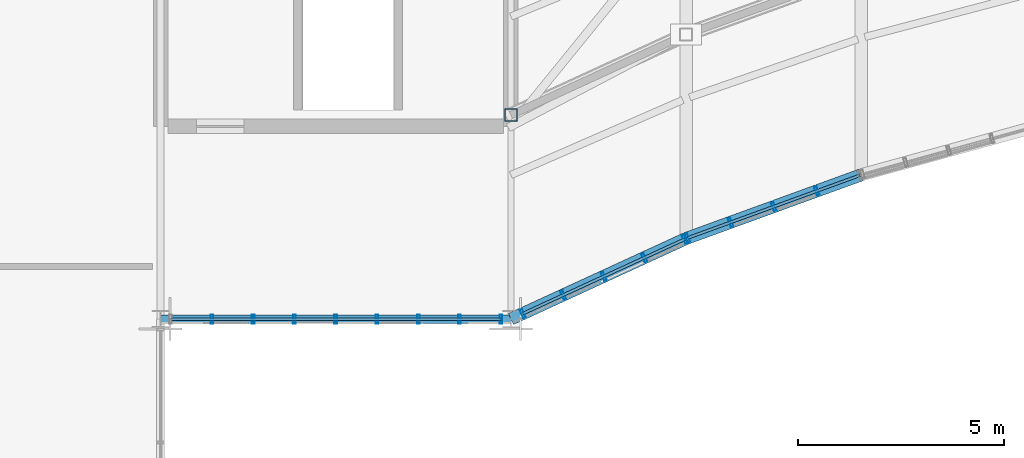
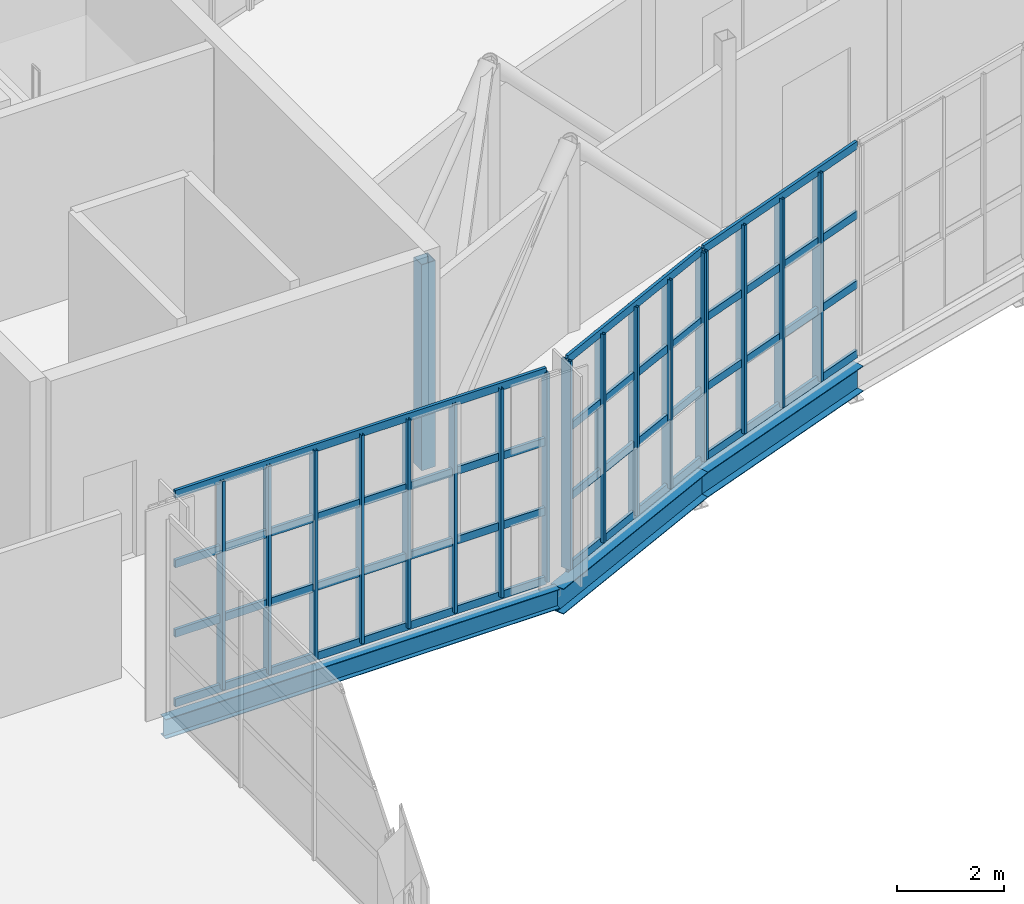
# One storey, part 18 of 46: 30 members, 3 beams, 3 elements without a shape of their own.
"""IFC4 building model written with IfcOpenShell, lengths in metres."""

import ifcopenshell
import ifcopenshell.guid

model = None  # the IFC model being written
_history = None  # IfcOwnerHistory: only IFC2X3 demands one
_inside = {}  # id of a spatial element -> (the spatial element, [elements in it])
_under = {}  # id of a project, library or spatial element -> (it, [spatial elements below it])
_declared = {}  # id of a project -> (the project, [libraries it declares])
_typed = {}  # id of a type object -> (the type object, [elements of that type])
_made_of = {}  # id of a material, layer set ... -> (it, [elements and type objects made of it])


def new_model(schema):
    """Start an empty IFC model of exactly this schema.

    Asked for "IFC4X3", IfcOpenShell would pick the latest addendum, in which some entities
    have other attributes; the version numbers below select the first issue.
    IFC2X3 requires an IfcOwnerHistory on every rooted entity: one is made here for all.
    """
    global model, _history
    if schema == "IFC4X3":
        model = ifcopenshell.file(schema_version=(4, 3, 0, 0))
    else:
        model = ifcopenshell.file(schema=schema)
    _inside.clear()
    _under.clear()
    _declared.clear()
    _typed.clear()
    _made_of.clear()
    _history = None
    if model.schema == "IFC2X3":
        org = make("IfcOrganization", Name="unknown")
        user = make(
            "IfcPersonAndOrganization",
            ThePerson=make("IfcPerson", FamilyName="unknown"),
            TheOrganization=org,
        )
        app = make(
            "IfcApplication",
            ApplicationDeveloper=org,
            Version="unknown",
            ApplicationFullName="unknown",
            ApplicationIdentifier="unknown",
        )
        _history = make(
            "IfcOwnerHistory",
            OwningUser=user,
            OwningApplication=app,
            ChangeAction="ADDED",
            CreationDate=0,
        )
    return model


def make(cls, **values):
    """One entity of the class cls with the attributes given. An attribute that is None is left unset."""
    return model.create_entity(
        cls, **{name: value for name, value in values.items() if value is not None}
    )


def rooted(cls, **values):
    """An entity with a GlobalId (a new one), such as an element, a storey or a relation."""
    return make(cls, GlobalId=ifcopenshell.guid.new(), OwnerHistory=_history, **values)


def si_unit(unit_type, name, prefix=None):
    """IfcSIUnit, for example si_unit("LENGTHUNIT", "METRE", prefix="MILLI")."""
    return make("IfcSIUnit", UnitType=unit_type, Prefix=prefix, Name=name)


def assignment(units):
    """IfcUnitAssignment: the units of a project."""
    return None if units is None else make("IfcUnitAssignment", Units=units)


def point(xyz):
    """IfcCartesianPoint."""
    return None if xyz is None else make("IfcCartesianPoint", Coordinates=xyz)


def direction(xyz):
    """IfcDirection."""
    return None if xyz is None else make("IfcDirection", DirectionRatios=xyz)


def frame(location, z_axis=None, x_axis=None):
    """IfcAxis2Placement3D, a coordinate frame: its origin and axes. An axis left out is left unset."""
    return make(
        "IfcAxis2Placement3D",
        Location=point(location),
        Axis=direction(z_axis),
        RefDirection=direction(x_axis),
    )


def frame_2d(location, x_axis=None):
    """IfcAxis2Placement2D, a coordinate frame in the plane: its origin and x axis."""
    return make(
        "IfcAxis2Placement2D", Location=point(location), RefDirection=direction(x_axis)
    )


def origin():
    """The frame at (0, 0, 0) with its axes left unset."""
    return frame((0.0, 0.0, 0.0))


def origin_2d():
    """The frame at (0, 0) in the plane with its x axis left unset."""
    return frame_2d((0.0, 0.0))


def place(relative_to, where):
    """IfcLocalPlacement: puts the frame where relative to a parent placement (None: the world)."""
    return make(
        "IfcLocalPlacement", PlacementRelTo=relative_to, RelativePlacement=where
    )


def context(
    kind, dimensions, precision=None, world=None, true_north=None, identifier=None
):
    """IfcGeometricRepresentationContext, for example the 3D "Model" context."""
    return make(
        "IfcGeometricRepresentationContext",
        ContextIdentifier=identifier,
        ContextType=kind,
        CoordinateSpaceDimension=dimensions,
        Precision=precision,
        WorldCoordinateSystem=world,
        TrueNorth=true_north,
    )


def subcontext(parent, identifier, kind, view, scale=None):
    """IfcGeometricRepresentationSubContext, for example "Body" below "Model"."""
    return make(
        "IfcGeometricRepresentationSubContext",
        ContextIdentifier=identifier,
        ContextType=kind,
        ParentContext=parent,
        TargetScale=scale,
        TargetView=view,
    )


def project(units=None, contexts=None):
    """IfcProject with its units and contexts."""
    return rooted(
        "IfcProject",
        Name="project",
        RepresentationContexts=contexts,
        UnitsInContext=assignment(units),
    )


def spatial(cls, under=None, at=None, **own):
    """A site, building, storey or space (cls), placed at a placement, below another one or the project."""
    s = rooted(cls, ObjectPlacement=at, **own)
    if under is not None:
        _under.setdefault(under.id(), (under, []))[1].append(s)
    return s


def profile(cls, at=None, kind="AREA", **sizes):
    """A parametric profile (cls). Its sizes go by their IFC names, for example OverallWidth=200.0."""
    return make(cls, ProfileType=kind, Position=at, **sizes)


def hollow_rectangle(**sizes):
    """IfcRectangleHollowProfileDef."""
    return profile("IfcRectangleHollowProfileDef", **sizes)


def i_section(**sizes):
    """IfcIShapeProfileDef."""
    return profile("IfcIShapeProfileDef", **sizes)


def extrude(swept, where, along, depth):
    """IfcExtrudedAreaSolid: the profile swept, set in the frame where, extruded along a direction by depth."""
    return make(
        "IfcExtrudedAreaSolid",
        SweptArea=swept,
        Position=where,
        ExtrudedDirection=direction(along),
        Depth=depth,
    )


def shape(context_of_items, identifier, shape_type, items):
    """IfcShapeRepresentation: the items that make up one representation, for example the "Body"."""
    return make(
        "IfcShapeRepresentation",
        ContextOfItems=context_of_items,
        RepresentationIdentifier=identifier,
        RepresentationType=shape_type,
        Items=items,
    )


def material(Name=None, Category=None):
    """IfcMaterial."""
    return make("IfcMaterial", Name=Name, Category=Category)


def material_profile(
    of_material, cross_section, Name=None, Category=None, Priority=None
):
    """IfcMaterialProfile: a cross section and its material."""
    return make(
        "IfcMaterialProfile",
        Name=Name,
        Material=of_material,
        Profile=cross_section,
        Priority=Priority,
        Category=Category,
    )


def profile_set(profiles, Name=None, composite=None):
    """IfcMaterialProfileSet."""
    return make(
        "IfcMaterialProfileSet",
        Name=Name,
        MaterialProfiles=profiles,
        CompositeProfile=composite,
    )


def made_of(thing, what):
    """Note that an element or type object is made of a material, layer set ...; save() writes the relation."""
    if what is not None:
        _made_of.setdefault(what.id(), (what, []))[1].append(thing)
    return thing


def type_object(cls, material=None, **own):
    """A type object (cls), such as IfcWallType, which elements share."""
    return made_of(rooted(cls, **own), material)


def element(
    cls,
    number,
    at=None,
    inside=None,
    cuts=None,
    type_object=None,
    material=None,
    context=None,
    identifier="Body",
    shape_type=None,
    held_by="IfcProductDefinitionShape",
    body=None,
    shapes=None,
    **own,
):
    """One element of the class cls, such as IfcWall. Its Tag is "e" and its number.

    at: its placement. inside: the storey or other place that contains it. cuts: it is an
    opening in that element (IfcRelVoidsElement). A single representation is given by context,
    identifier, shape_type and body (its items); several are given by shapes. held_by: the class
    of the entity that holds the representations. save() writes the other relations.
    """
    e = rooted(cls, Tag="e%d" % number, ObjectPlacement=at, **own)
    if body is not None:
        shapes = [shape(context, identifier, shape_type, body)]
    if shapes is not None:
        e.Representation = make(held_by, Representations=shapes)
    if inside is not None:
        _inside.setdefault(inside.id(), (inside, []))[1].append(e)
    if cuts is not None:
        rooted(
            "IfcRelVoidsElement", RelatingBuildingElement=cuts, RelatedOpeningElement=e
        )
    if type_object is not None:
        _typed.setdefault(type_object.id(), (type_object, []))[1].append(e)
    return made_of(e, material)


def aggregate(whole, parts):
    """IfcRelAggregates: a whole, such as a stair, and the parts it consists of."""
    return rooted("IfcRelAggregates", RelatingObject=whole, RelatedObjects=parts)


def save(model, path):
    """Write the relations noted so far, then the file.

    IfcRelAggregates (storeys below a building ...), IfcRelContainedInSpatialStructure (elements
    in a storey), IfcRelDefinesByType, IfcRelAssociatesMaterial and IfcRelDeclares: one each for
    every whole, place, type object, material and project.
    """
    for whole, parts in _under.values():
        aggregate(whole, parts)
    for where, things in _inside.values():
        rooted(
            "IfcRelContainedInSpatialStructure",
            RelatedElements=things,
            RelatingStructure=where,
        )
    for kind, things in _typed.values():
        rooted("IfcRelDefinesByType", RelatedObjects=things, RelatingType=kind)
    for what, things in _made_of.values():
        rooted("IfcRelAssociatesMaterial", RelatedObjects=things, RelatingMaterial=what)
    for by, libraries in _declared.values():
        rooted("IfcRelDeclares", RelatingContext=by, RelatedDefinitions=libraries)
    model.write(path)


model = new_model("IFC4")

# Units and contexts
model_context = context("Model", 3, precision=1e-05, world=origin(), true_north=direction((0.0, 1.0)))
body_context = subcontext(model_context, "Body", "Model", "MODEL_VIEW")
ifc_project = project(units=[si_unit("LENGTHUNIT", "METRE"), si_unit("AREAUNIT", "SQUARE_METRE"), si_unit("VOLUMEUNIT", "CUBIC_METRE"), si_unit("PLANEANGLEUNIT", "RADIAN"), si_unit("MASSUNIT", "GRAM", prefix="KILO")], contexts=[model_context])

# Site, building, storey
site_placement = place(None, origin())
site = spatial("IfcSite", under=ifc_project, at=site_placement, CompositionType="ELEMENT")
building_placement = place(site_placement, origin())
building = spatial("IfcBuilding", under=site, at=building_placement, Name="Solvikara Media Centre", CompositionType="ELEMENT")
storey_placement = place(building_placement, frame((0.0, 0.0, 24.60009765625)))
storey = spatial("IfcBuildingStorey", under=building, at=storey_placement, Name="L05", CompositionType="ELEMENT", Elevation=24.60009765625)

# Beams
ifc_material_1 = material(Name="Steel S355JR", Category="steel")
ifc_material_profile_1 = material_profile(ifc_material_1, i_section(OverallWidth=0.199951171875, OverallDepth=0.449951171875, WebThickness=0.009033203125, FlangeThickness=0.013916015625, at=origin_2d()), Name="WF 450x200x9x14")
ifc_profile_set_1 = profile_set([ifc_material_profile_1], Name="Steel S355JR")
beam_type_1 = type_object("IfcBeamType", Name="BM-20", PredefinedType="BEAM", material=ifc_profile_set_1)
beam_1_placement = place(storey_placement, frame((68.0, 19.320068359375, -0.447021484375), z_axis=(1.0, 0.0, 0.0), x_axis=(0.0, 1.0, 0.0)))
element("IfcBeam", 1, at=beam_1_placement, inside=storey, type_object=beam_type_1, Name="B-L05-X1642", PredefinedType="BEAM", context=body_context, shape_type="SweptSolid", body=[
    extrude(i_section(OverallWidth=0.199951171875, OverallDepth=0.449951171875, WebThickness=0.009033203125, FlangeThickness=0.013916015625, at=origin_2d()), origin(), (0.0, 0.0, 1.0), 8.5),
])
ifc_material_profile_2 = material_profile(ifc_material_1, i_section(OverallWidth=0.300048828125, OverallDepth=0.58203125, WebThickness=0.011962890625, FlangeThickness=0.01708984375, at=origin_2d()), Name="WF 582x300x12x17")
ifc_profile_set_2 = profile_set([ifc_material_profile_2], Name="Steel S355JR")
beam_type_2 = type_object("IfcBeamType", Name="BM-31", PredefinedType="SPANDREL", material=ifc_profile_set_2)
beam_2_placement = place(storey_placement, frame((76.5, 19.323974609375, -0.51318359375), z_axis=(0.908484112169, 0.417919391673, 0.0), x_axis=(-0.417919391673, 0.908484112169, 0.0)))
element("IfcBeam", 2, at=beam_2_placement, inside=storey, type_object=beam_type_2, Name="B-L05-SARC-00", PredefinedType="SPANDREL", context=body_context, shape_type="SweptSolid", body=[
    extrude(i_section(OverallWidth=0.300048828125, OverallDepth=0.58203125, WebThickness=0.011962890625, FlangeThickness=0.01708984375, at=origin_2d()), origin(), (0.0, 0.0, 1.0), 4.67822265625),
])
beam_3_placement = place(storey_placement, frame((80.75, 21.279052734375, -0.51318359375), z_axis=(0.939831249065, 0.341639024821, 0.0), x_axis=(-0.341639024821, 0.939831249065, 0.0)))
element("IfcBeam", 3, at=beam_3_placement, inside=storey, type_object=beam_type_2, Name="B-L05-SARC-01", PredefinedType="SPANDREL", context=body_context, shape_type="SweptSolid", body=[
    extrude(i_section(OverallWidth=0.300048828125, OverallDepth=0.58203125, WebThickness=0.011962890625, FlangeThickness=0.01708984375, at=origin_2d()), origin(), (0.0, 0.0, 1.0), 4.52197265625),
])

# Member
ifc_material_profile_3 = material_profile(ifc_material_1, hollow_rectangle(XDim=0.300048828125, YDim=0.300048828125, WallThickness=0.012451171875, at=origin_2d()), Name="RHS 300x300x12.5")
ifc_profile_set_3 = profile_set([ifc_material_profile_3], Name="Steel S355JR")
member_type_1 = type_object("IfcMemberType", Name="MB-11", PredefinedType="CHORD", material=ifc_profile_set_3)
member_1_placement = place(storey_placement, frame((76.5, 24.27392578125, -0.4501953125), z_axis=(0.0, 0.0, 1.0), x_axis=(1.0, 0.0, 0.0)))
element("IfcMember", 4, at=member_1_placement, inside=storey, type_object=member_type_1, Name="WTR-L05-S-V00", PredefinedType="CHORD", context=body_context, shape_type="SweptSolid", body=[
    extrude(hollow_rectangle(XDim=0.300048828125, YDim=0.300048828125, WallThickness=0.012451171875, at=origin_2d()), origin(), (0.0, 0.0, 1.0), 4.7001953125),
])

# Curtain wall, members
ifc_material_2 = material(Name="Anodised aluminium EN AW-6063", Category="aluminium")
curtain_wall_type_1 = type_object("IfcCurtainWallType", Name="CW-01", PredefinedType="NOTDEFINED", material=ifc_material_2)
curtain_wall_1_placement = place(storey_placement, origin())
curtain_wall_1 = element("IfcCurtainWall", 5, at=curtain_wall_1_placement, inside=storey, type_object=curtain_wall_type_1, Name="CW-L05-SARC-00", PredefinedType="NOTDEFINED")
ifc_material_profile_4 = material_profile(ifc_material_2, hollow_rectangle(XDim=0.06494140625, YDim=0.219970703125, WallThickness=0.00390625, at=origin_2d()), Name="ALU-M 65x220x4")
ifc_profile_set_4 = profile_set([ifc_material_profile_4], Name="Anodised aluminium EN AW-6063")
member_type_2 = type_object("IfcMemberType", Name="MF-01", PredefinedType="MULLION", material=ifc_profile_set_4)
member_2_placement = place(storey_placement, frame((76.785888671875, 19.455078125, 0.02001953125), z_axis=(0.0, 0.0, 1.0), x_axis=(0.908464413608, 0.417962210264, 0.0)))
member_2 = element("IfcMember", 6, at=member_2_placement, type_object=member_type_2, Name="CW-L05-SARC-00-M00", PredefinedType="MULLION", context=body_context, shape_type="SweptSolid", body=[
    extrude(hollow_rectangle(XDim=0.06494140625, YDim=0.219970703125, WallThickness=0.00390625, at=origin_2d()), origin(), (0.0, 0.0, 1.0), 4.759765625),
])
member_3_placement = place(storey_placement, frame((77.76904296875, 19.906982421875, 0.02001953125), z_axis=(0.0, 0.0, 1.0), x_axis=(0.908464413608, 0.417962210264, 0.0)))
member_3 = element("IfcMember", 7, at=member_3_placement, type_object=member_type_2, Name="CW-L05-SARC-00-M01", PredefinedType="MULLION", context=body_context, shape_type="SweptSolid", body=[
    extrude(hollow_rectangle(XDim=0.06494140625, YDim=0.219970703125, WallThickness=0.00390625, at=origin_2d()), origin(), (0.0, 0.0, 1.0), 4.759765625),
])
member_4_placement = place(storey_placement, frame((78.751953125, 20.35888671875, 0.02001953125), z_axis=(0.0, 0.0, 1.0), x_axis=(0.908464413608, 0.417962210264, 0.0)))
member_4 = element("IfcMember", 8, at=member_4_placement, type_object=member_type_2, Name="CW-L05-SARC-00-M02", PredefinedType="MULLION", context=body_context, shape_type="SweptSolid", body=[
    extrude(hollow_rectangle(XDim=0.06494140625, YDim=0.219970703125, WallThickness=0.00390625, at=origin_2d()), origin(), (0.0, 0.0, 1.0), 4.759765625),
])
member_5_placement = place(storey_placement, frame((79.735107421875, 20.81201171875, 0.02001953125), z_axis=(0.0, 0.0, 1.0), x_axis=(0.908464413608, 0.417962210264, 0.0)))
member_5 = element("IfcMember", 9, at=member_5_placement, type_object=member_type_2, Name="CW-L05-SARC-00-M03", PredefinedType="MULLION", context=body_context, shape_type="SweptSolid", body=[
    extrude(hollow_rectangle(XDim=0.06494140625, YDim=0.219970703125, WallThickness=0.00390625, at=origin_2d()), origin(), (0.0, 0.0, 1.0), 4.759765625),
])
member_6_placement = place(storey_placement, frame((80.718017578125, 21.263916015625, 0.02001953125), z_axis=(0.0, 0.0, 1.0), x_axis=(0.908464413608, 0.417962210264, 0.0)))
member_6 = element("IfcMember", 10, at=member_6_placement, type_object=member_type_2, Name="CW-L05-SARC-00-M04", PredefinedType="MULLION", context=body_context, shape_type="SweptSolid", body=[
    extrude(hollow_rectangle(XDim=0.06494140625, YDim=0.219970703125, WallThickness=0.00390625, at=origin_2d()), origin(), (0.0, 0.0, 1.0), 4.759765625),
])

curtain_wall_2_placement = place(storey_placement, origin())
curtain_wall_2 = element("IfcCurtainWall", 11, at=curtain_wall_2_placement, inside=storey, type_object=curtain_wall_type_1, Name="CW-L05-SARC-01", PredefinedType="NOTDEFINED")
member_7_placement = place(storey_placement, frame((80.782958984375, 21.291015625, 0.02001953125), z_axis=(0.0, 0.0, 1.0), x_axis=(0.939823877818, 0.341659302058, 0.0)))
member_7 = element("IfcMember", 12, at=member_7_placement, type_object=member_type_2, Name="CW-L05-SARC-01-M00", PredefinedType="MULLION", context=body_context, shape_type="SweptSolid", body=[
    extrude(hollow_rectangle(XDim=0.06494140625, YDim=0.219970703125, WallThickness=0.00390625, at=origin_2d()), origin(), (0.0, 0.0, 1.0), 4.759765625),
])
member_8_placement = place(storey_placement, frame((81.8291015625, 21.6708984375, 0.02001953125), z_axis=(0.0, 0.0, 1.0), x_axis=(0.939823877818, 0.341659302058, 0.0)))
member_8 = element("IfcMember", 13, at=member_8_placement, type_object=member_type_2, Name="CW-L05-SARC-01-M01", PredefinedType="MULLION", context=body_context, shape_type="SweptSolid", body=[
    extrude(hollow_rectangle(XDim=0.06494140625, YDim=0.219970703125, WallThickness=0.00390625, at=origin_2d()), origin(), (0.0, 0.0, 1.0), 4.759765625),
])
member_9_placement = place(storey_placement, frame((82.875, 22.052001953125, 0.02001953125), z_axis=(0.0, 0.0, 1.0), x_axis=(0.939823877818, 0.341659302058, 0.0)))
member_9 = element("IfcMember", 14, at=member_9_placement, type_object=member_type_2, Name="CW-L05-SARC-01-M02", PredefinedType="MULLION", context=body_context, shape_type="SweptSolid", body=[
    extrude(hollow_rectangle(XDim=0.06494140625, YDim=0.219970703125, WallThickness=0.00390625, at=origin_2d()), origin(), (0.0, 0.0, 1.0), 4.759765625),
])
member_10_placement = place(storey_placement, frame((83.9208984375, 22.431884765625, 0.02001953125), z_axis=(0.0, 0.0, 1.0), x_axis=(0.939823877818, 0.341659302058, 0.0)))
member_10 = element("IfcMember", 15, at=member_10_placement, type_object=member_type_2, Name="CW-L05-SARC-01-M03", PredefinedType="MULLION", context=body_context, shape_type="SweptSolid", body=[
    extrude(hollow_rectangle(XDim=0.06494140625, YDim=0.219970703125, WallThickness=0.00390625, at=origin_2d()), origin(), (0.0, 0.0, 1.0), 4.759765625),
])

curtain_wall_type_2 = type_object("IfcCurtainWallType", Name="CW-10", PredefinedType="NOTDEFINED", material=ifc_material_2)
curtain_wall_3_placement = place(storey_placement, origin())
curtain_wall_3 = element("IfcCurtainWall", 16, at=curtain_wall_3_placement, inside=storey, type_object=curtain_wall_type_2, Name="CW-L05-BHWS", PredefinedType="NOTDEFINED")
member_11_placement = place(storey_placement, frame((69.2451171875, 19.323974609375, 0.02001953125), z_axis=(0.0, 0.0, 1.0), x_axis=(1.0, 0.0, 0.0)))
member_11 = element("IfcMember", 17, at=member_11_placement, type_object=member_type_2, Name="CW-L05-BHWS-M01", PredefinedType="MULLION", context=body_context, shape_type="SweptSolid", body=[
    extrude(hollow_rectangle(XDim=0.06494140625, YDim=0.219970703125, WallThickness=0.00390625, at=origin_2d()), origin(), (0.0, 0.0, 1.0), 4.759765625),
])
member_12_placement = place(storey_placement, frame((70.2470703125, 19.323974609375, 0.02001953125), z_axis=(0.0, 0.0, 1.0), x_axis=(1.0, 0.0, 0.0)))
member_12 = element("IfcMember", 18, at=member_12_placement, type_object=member_type_2, Name="CW-L05-BHWS-M02", PredefinedType="MULLION", context=body_context, shape_type="SweptSolid", body=[
    extrude(hollow_rectangle(XDim=0.06494140625, YDim=0.219970703125, WallThickness=0.00390625, at=origin_2d()), origin(), (0.0, 0.0, 1.0), 4.759765625),
])
member_13_placement = place(storey_placement, frame((71.248046875, 19.323974609375, 0.02001953125), z_axis=(0.0, 0.0, 1.0), x_axis=(1.0, 0.0, 0.0)))
member_13 = element("IfcMember", 19, at=member_13_placement, type_object=member_type_2, Name="CW-L05-BHWS-M03", PredefinedType="MULLION", context=body_context, shape_type="SweptSolid", body=[
    extrude(hollow_rectangle(XDim=0.06494140625, YDim=0.219970703125, WallThickness=0.00390625, at=origin_2d()), origin(), (0.0, 0.0, 1.0), 4.759765625),
])
member_14_placement = place(storey_placement, frame((72.25, 19.323974609375, 0.02001953125), z_axis=(0.0, 0.0, 1.0), x_axis=(1.0, 0.0, 0.0)))
member_14 = element("IfcMember", 20, at=member_14_placement, type_object=member_type_2, Name="CW-L05-BHWS-M04", PredefinedType="MULLION", context=body_context, shape_type="SweptSolid", body=[
    extrude(hollow_rectangle(XDim=0.06494140625, YDim=0.219970703125, WallThickness=0.00390625, at=origin_2d()), origin(), (0.0, 0.0, 1.0), 4.759765625),
])
member_15_placement = place(storey_placement, frame((73.251953125, 19.323974609375, 0.02001953125), z_axis=(0.0, 0.0, 1.0), x_axis=(1.0, 0.0, 0.0)))
member_15 = element("IfcMember", 21, at=member_15_placement, type_object=member_type_2, Name="CW-L05-BHWS-M05", PredefinedType="MULLION", context=body_context, shape_type="SweptSolid", body=[
    extrude(hollow_rectangle(XDim=0.06494140625, YDim=0.219970703125, WallThickness=0.00390625, at=origin_2d()), origin(), (0.0, 0.0, 1.0), 4.759765625),
])
member_16_placement = place(storey_placement, frame((74.25390625, 19.323974609375, 0.02001953125), z_axis=(0.0, 0.0, 1.0), x_axis=(1.0, 0.0, 0.0)))
member_16 = element("IfcMember", 22, at=member_16_placement, type_object=member_type_2, Name="CW-L05-BHWS-M06", PredefinedType="MULLION", context=body_context, shape_type="SweptSolid", body=[
    extrude(hollow_rectangle(XDim=0.06494140625, YDim=0.219970703125, WallThickness=0.00390625, at=origin_2d()), origin(), (0.0, 0.0, 1.0), 4.759765625),
])
member_17_placement = place(storey_placement, frame((75.2548828125, 19.323974609375, 0.02001953125), z_axis=(0.0, 0.0, 1.0), x_axis=(1.0, 0.0, 0.0)))
member_17 = element("IfcMember", 23, at=member_17_placement, type_object=member_type_2, Name="CW-L05-BHWS-M07", PredefinedType="MULLION", context=body_context, shape_type="SweptSolid", body=[
    extrude(hollow_rectangle(XDim=0.06494140625, YDim=0.219970703125, WallThickness=0.00390625, at=origin_2d()), origin(), (0.0, 0.0, 1.0), 4.759765625),
])
member_18_placement = place(storey_placement, frame((76.257080078125, 19.323974609375, 0.02001953125), z_axis=(0.0, 0.0, 1.0), x_axis=(1.0, 0.0, 0.0)))
member_18 = element("IfcMember", 24, at=member_18_placement, type_object=member_type_2, Name="CW-L05-BHWS-M08", PredefinedType="MULLION", context=body_context, shape_type="SweptSolid", body=[
    extrude(hollow_rectangle(XDim=0.06494140625, YDim=0.219970703125, WallThickness=0.00390625, at=origin_2d()), origin(), (0.0, 0.0, 1.0), 4.759765625),
])

# Member
ifc_material_profile_5 = material_profile(ifc_material_2, hollow_rectangle(XDim=0.06494140625, YDim=0.179931640625, WallThickness=0.00341796875, at=origin_2d()), Name="ALU-T 65x180x3.5")
ifc_profile_set_5 = profile_set([ifc_material_profile_5], Name="Anodised aluminium EN AW-6063")
member_type_3 = type_object("IfcMemberType", Name="MF-07", PredefinedType="USERDEFINED", material=ifc_profile_set_5)
member_19_placement = place(storey_placement, frame((76.785888671875, 19.455078125, 0.02001953125), z_axis=(0.908485312883, 0.417916781519, 0.0), x_axis=(-0.417916781519, 0.908485312883, 0.0)))
member_19 = element("IfcMember", 25, at=member_19_placement, type_object=member_type_3, Name="CW-L05-SARC-00-T00", ObjectType="TRANSOM", PredefinedType="USERDEFINED", context=body_context, shape_type="SweptSolid", body=[
    extrude(hollow_rectangle(XDim=0.06494140625, YDim=0.179931640625, WallThickness=0.00341796875, at=origin_2d()), origin(), (0.0, 0.0, 1.0), 4.328125),
])

member_20_placement = place(storey_placement, frame((76.785888671875, 19.455078125, 1.60693359375), z_axis=(0.908485312883, 0.417916781519, 0.0), x_axis=(-0.417916781519, 0.908485312883, 0.0)))
member_20 = element("IfcMember", 26, at=member_20_placement, type_object=member_type_3, Name="CW-L05-SARC-00-T01", ObjectType="TRANSOM", PredefinedType="USERDEFINED", context=body_context, shape_type="SweptSolid", body=[
    extrude(hollow_rectangle(XDim=0.06494140625, YDim=0.179931640625, WallThickness=0.00341796875, at=origin_2d()), origin(), (0.0, 0.0, 1.0), 4.328125),
])

member_21_placement = place(storey_placement, frame((76.785888671875, 19.455078125, 3.19287109375), z_axis=(0.908485312883, 0.417916781519, 0.0), x_axis=(-0.417916781519, 0.908485312883, 0.0)))
member_21 = element("IfcMember", 27, at=member_21_placement, type_object=member_type_3, Name="CW-L05-SARC-00-T02", ObjectType="TRANSOM", PredefinedType="USERDEFINED", context=body_context, shape_type="SweptSolid", body=[
    extrude(hollow_rectangle(XDim=0.06494140625, YDim=0.179931640625, WallThickness=0.00341796875, at=origin_2d()), origin(), (0.0, 0.0, 1.0), 4.328125),
])

member_22_placement = place(storey_placement, frame((76.785888671875, 19.455078125, 4.77978515625), z_axis=(0.908485312883, 0.417916781519, 0.0), x_axis=(-0.417916781519, 0.908485312883, 0.0)))
member_22 = element("IfcMember", 28, at=member_22_placement, type_object=member_type_3, Name="CW-L05-SARC-00-T03", ObjectType="TRANSOM", PredefinedType="USERDEFINED", context=body_context, shape_type="SweptSolid", body=[
    extrude(hollow_rectangle(XDim=0.06494140625, YDim=0.179931640625, WallThickness=0.00341796875, at=origin_2d()), origin(), (0.0, 0.0, 1.0), 4.328125),
])

aggregate(curtain_wall_1, [member_2, member_3, member_4, member_5, member_6, member_19, member_20, member_21, member_22])

member_23_placement = place(storey_placement, frame((80.782958984375, 21.291015625, 0.02001953125), z_axis=(0.939828643467, 0.341646192601, 0.0), x_axis=(-0.341646192601, 0.939828643467, 0.0)))
member_23 = element("IfcMember", 29, at=member_23_placement, type_object=member_type_3, Name="CW-L05-SARC-01-T00", ObjectType="TRANSOM", PredefinedType="USERDEFINED", context=body_context, shape_type="SweptSolid", body=[
    extrude(hollow_rectangle(XDim=0.06494140625, YDim=0.179931640625, WallThickness=0.00341796875, at=origin_2d()), origin(), (0.0, 0.0, 1.0), 4.451904296875),
])

member_24_placement = place(storey_placement, frame((80.782958984375, 21.291015625, 1.60693359375), z_axis=(0.939828643467, 0.341646192601, 0.0), x_axis=(-0.341646192601, 0.939828643467, 0.0)))
member_24 = element("IfcMember", 30, at=member_24_placement, type_object=member_type_3, Name="CW-L05-SARC-01-T01", ObjectType="TRANSOM", PredefinedType="USERDEFINED", context=body_context, shape_type="SweptSolid", body=[
    extrude(hollow_rectangle(XDim=0.06494140625, YDim=0.179931640625, WallThickness=0.00341796875, at=origin_2d()), origin(), (0.0, 0.0, 1.0), 4.451904296875),
])

member_25_placement = place(storey_placement, frame((80.782958984375, 21.291015625, 3.19287109375), z_axis=(0.939828643467, 0.341646192601, 0.0), x_axis=(-0.341646192601, 0.939828643467, 0.0)))
member_25 = element("IfcMember", 31, at=member_25_placement, type_object=member_type_3, Name="CW-L05-SARC-01-T02", ObjectType="TRANSOM", PredefinedType="USERDEFINED", context=body_context, shape_type="SweptSolid", body=[
    extrude(hollow_rectangle(XDim=0.06494140625, YDim=0.179931640625, WallThickness=0.00341796875, at=origin_2d()), origin(), (0.0, 0.0, 1.0), 4.451904296875),
])

member_26_placement = place(storey_placement, frame((80.782958984375, 21.291015625, 4.77978515625), z_axis=(0.939828643467, 0.341646192601, 0.0), x_axis=(-0.341646192601, 0.939828643467, 0.0)))
member_26 = element("IfcMember", 32, at=member_26_placement, type_object=member_type_3, Name="CW-L05-SARC-01-T03", ObjectType="TRANSOM", PredefinedType="USERDEFINED", context=body_context, shape_type="SweptSolid", body=[
    extrude(hollow_rectangle(XDim=0.06494140625, YDim=0.179931640625, WallThickness=0.00341796875, at=origin_2d()), origin(), (0.0, 0.0, 1.0), 4.451904296875),
])

aggregate(curtain_wall_2, [member_7, member_8, member_9, member_10, member_23, member_24, member_25, member_26])

member_27_placement = place(storey_placement, frame((68.242919921875, 19.323974609375, 0.02001953125), z_axis=(1.0, 0.0, 0.0), x_axis=(0.0, 1.0, 0.0)))
member_27 = element("IfcMember", 33, at=member_27_placement, type_object=member_type_3, Name="CW-L05-BHWS-T00", ObjectType="TRANSOM", PredefinedType="USERDEFINED", context=body_context, shape_type="SweptSolid", body=[
    extrude(hollow_rectangle(XDim=0.06494140625, YDim=0.179931640625, WallThickness=0.00341796875, at=origin_2d()), origin(), (0.0, 0.0, 1.0), 8.01416015625),
])

member_28_placement = place(storey_placement, frame((68.242919921875, 19.323974609375, 1.60693359375), z_axis=(1.0, 0.0, 0.0), x_axis=(0.0, 1.0, 0.0)))
member_28 = element("IfcMember", 34, at=member_28_placement, type_object=member_type_3, Name="CW-L05-BHWS-T01", ObjectType="TRANSOM", PredefinedType="USERDEFINED", context=body_context, shape_type="SweptSolid", body=[
    extrude(hollow_rectangle(XDim=0.06494140625, YDim=0.179931640625, WallThickness=0.00341796875, at=origin_2d()), origin(), (0.0, 0.0, 1.0), 8.01416015625),
])

member_29_placement = place(storey_placement, frame((68.242919921875, 19.323974609375, 3.19287109375), z_axis=(1.0, 0.0, 0.0), x_axis=(0.0, 1.0, 0.0)))
member_29 = element("IfcMember", 35, at=member_29_placement, type_object=member_type_3, Name="CW-L05-BHWS-T02", ObjectType="TRANSOM", PredefinedType="USERDEFINED", context=body_context, shape_type="SweptSolid", body=[
    extrude(hollow_rectangle(XDim=0.06494140625, YDim=0.179931640625, WallThickness=0.00341796875, at=origin_2d()), origin(), (0.0, 0.0, 1.0), 8.01416015625),
])

member_30_placement = place(storey_placement, frame((68.242919921875, 19.323974609375, 4.77978515625), z_axis=(1.0, 0.0, 0.0), x_axis=(0.0, 1.0, 0.0)))
member_30 = element("IfcMember", 36, at=member_30_placement, type_object=member_type_3, Name="CW-L05-BHWS-T03", ObjectType="TRANSOM", PredefinedType="USERDEFINED", context=body_context, shape_type="SweptSolid", body=[
    extrude(hollow_rectangle(XDim=0.06494140625, YDim=0.179931640625, WallThickness=0.00341796875, at=origin_2d()), origin(), (0.0, 0.0, 1.0), 8.01416015625),
])

aggregate(curtain_wall_3, [member_11, member_12, member_13, member_14, member_15, member_16, member_17, member_18, member_27, member_28, member_29, member_30])

save(model, "model.ifc")
